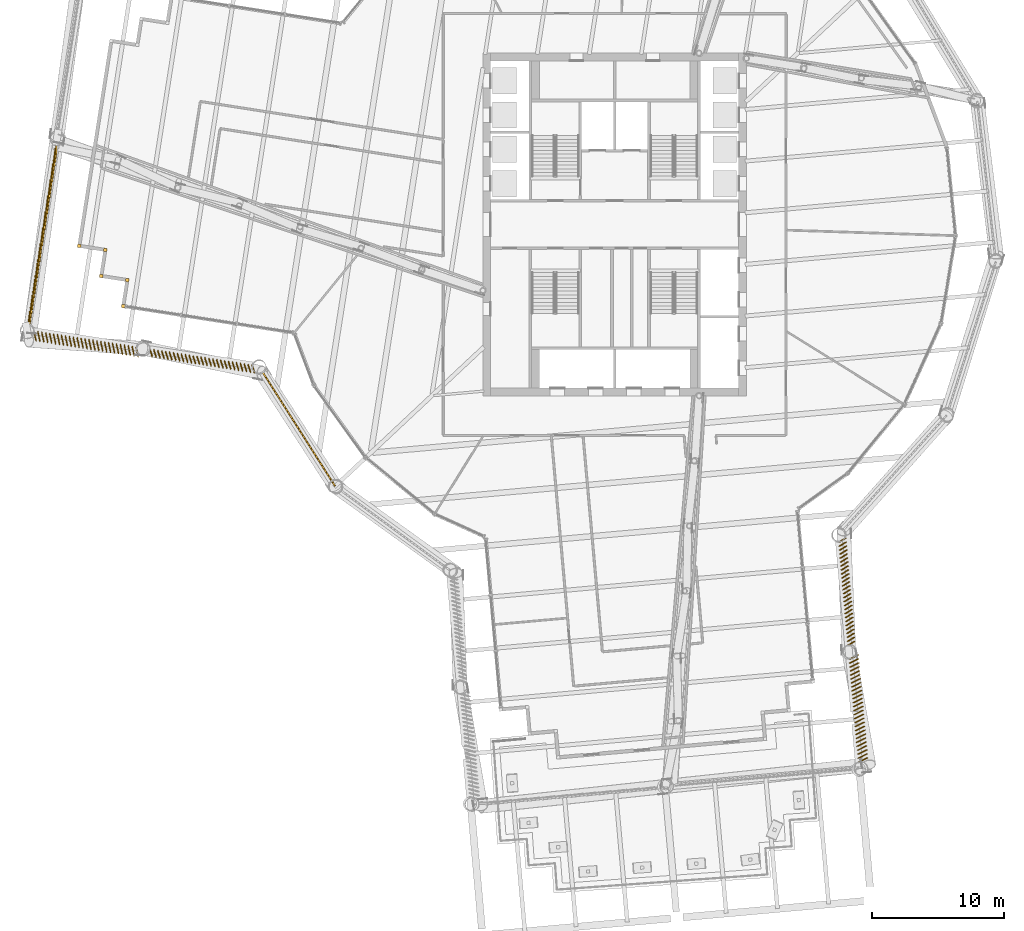
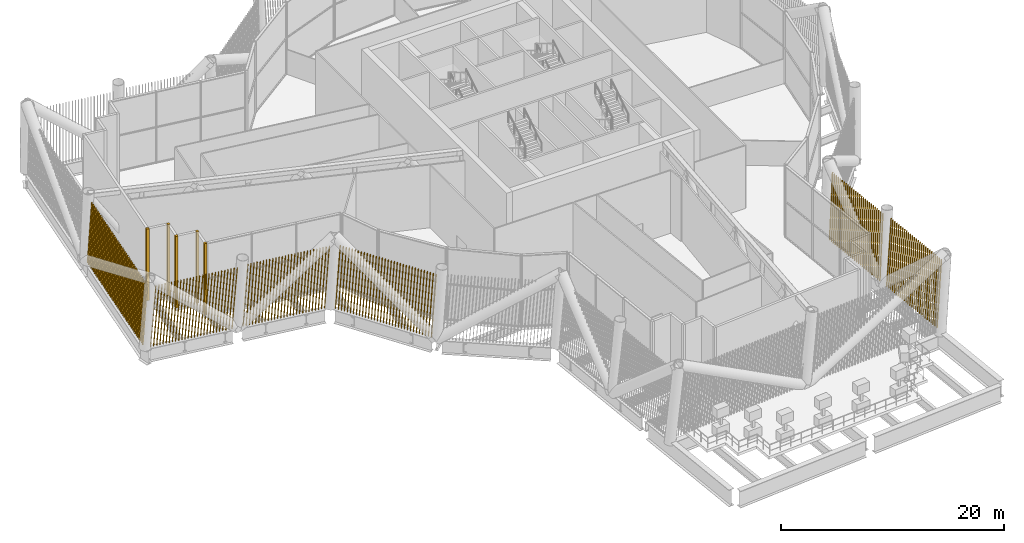
# One storey, part 49 of 55: 11 shading devices.
"""IFC4 building model written with IfcOpenShell, lengths in metres."""

import ifcopenshell
import ifcopenshell.guid

model = None  # the IFC model being written
_history = None  # IfcOwnerHistory: only IFC2X3 demands one
_inside = {}  # id of a spatial element -> (the spatial element, [elements in it])
_under = {}  # id of a project, library or spatial element -> (it, [spatial elements below it])
_declared = {}  # id of a project -> (the project, [libraries it declares])
_typed = {}  # id of a type object -> (the type object, [elements of that type])
_made_of = {}  # id of a material, layer set ... -> (it, [elements and type objects made of it])


def new_model(schema):
    """Start an empty IFC model of exactly this schema.

    Asked for "IFC4X3", IfcOpenShell would pick the latest addendum, in which some entities
    have other attributes; the version numbers below select the first issue.
    IFC2X3 requires an IfcOwnerHistory on every rooted entity: one is made here for all.
    """
    global model, _history
    if schema == "IFC4X3":
        model = ifcopenshell.file(schema_version=(4, 3, 0, 0))
    else:
        model = ifcopenshell.file(schema=schema)
    _inside.clear()
    _under.clear()
    _declared.clear()
    _typed.clear()
    _made_of.clear()
    _history = None
    if model.schema == "IFC2X3":
        org = make("IfcOrganization", Name="unknown")
        user = make(
            "IfcPersonAndOrganization",
            ThePerson=make("IfcPerson", FamilyName="unknown"),
            TheOrganization=org,
        )
        app = make(
            "IfcApplication",
            ApplicationDeveloper=org,
            Version="unknown",
            ApplicationFullName="unknown",
            ApplicationIdentifier="unknown",
        )
        _history = make(
            "IfcOwnerHistory",
            OwningUser=user,
            OwningApplication=app,
            ChangeAction="ADDED",
            CreationDate=0,
        )
    return model


def make(cls, **values):
    """One entity of the class cls with the attributes given. An attribute that is None is left unset."""
    return model.create_entity(
        cls, **{name: value for name, value in values.items() if value is not None}
    )


def rooted(cls, **values):
    """An entity with a GlobalId (a new one), such as an element, a storey or a relation."""
    return make(cls, GlobalId=ifcopenshell.guid.new(), OwnerHistory=_history, **values)


def si_unit(unit_type, name, prefix=None):
    """IfcSIUnit, for example si_unit("LENGTHUNIT", "METRE", prefix="MILLI")."""
    return make("IfcSIUnit", UnitType=unit_type, Prefix=prefix, Name=name)


def assignment(units):
    """IfcUnitAssignment: the units of a project."""
    return None if units is None else make("IfcUnitAssignment", Units=units)


def point(xyz):
    """IfcCartesianPoint."""
    return None if xyz is None else make("IfcCartesianPoint", Coordinates=xyz)


def direction(xyz):
    """IfcDirection."""
    return None if xyz is None else make("IfcDirection", DirectionRatios=xyz)


def frame(location, z_axis=None, x_axis=None):
    """IfcAxis2Placement3D, a coordinate frame: its origin and axes. An axis left out is left unset."""
    return make(
        "IfcAxis2Placement3D",
        Location=point(location),
        Axis=direction(z_axis),
        RefDirection=direction(x_axis),
    )


def frame_2d(location, x_axis=None):
    """IfcAxis2Placement2D, a coordinate frame in the plane: its origin and x axis."""
    return make(
        "IfcAxis2Placement2D", Location=point(location), RefDirection=direction(x_axis)
    )


def origin():
    """The frame at (0, 0, 0) with its axes left unset."""
    return frame((0.0, 0.0, 0.0))


def origin_2d():
    """The frame at (0, 0) in the plane with its x axis left unset."""
    return frame_2d((0.0, 0.0))


def place(relative_to, where):
    """IfcLocalPlacement: puts the frame where relative to a parent placement (None: the world)."""
    return make(
        "IfcLocalPlacement", PlacementRelTo=relative_to, RelativePlacement=where
    )


def context(
    kind, dimensions, precision=None, world=None, true_north=None, identifier=None
):
    """IfcGeometricRepresentationContext, for example the 3D "Model" context."""
    return make(
        "IfcGeometricRepresentationContext",
        ContextIdentifier=identifier,
        ContextType=kind,
        CoordinateSpaceDimension=dimensions,
        Precision=precision,
        WorldCoordinateSystem=world,
        TrueNorth=true_north,
    )


def subcontext(parent, identifier, kind, view, scale=None):
    """IfcGeometricRepresentationSubContext, for example "Body" below "Model"."""
    return make(
        "IfcGeometricRepresentationSubContext",
        ContextIdentifier=identifier,
        ContextType=kind,
        ParentContext=parent,
        TargetScale=scale,
        TargetView=view,
    )


def project(units=None, contexts=None):
    """IfcProject with its units and contexts."""
    return rooted(
        "IfcProject",
        Name="project",
        RepresentationContexts=contexts,
        UnitsInContext=assignment(units),
    )


def spatial(cls, under=None, at=None, **own):
    """A site, building, storey or space (cls), placed at a placement, below another one or the project."""
    s = rooted(cls, ObjectPlacement=at, **own)
    if under is not None:
        _under.setdefault(under.id(), (under, []))[1].append(s)
    return s


def profile(cls, at=None, kind="AREA", **sizes):
    """A parametric profile (cls). Its sizes go by their IFC names, for example OverallWidth=200.0."""
    return make(cls, ProfileType=kind, Position=at, **sizes)


def rectangle(**sizes):
    """IfcRectangleProfileDef."""
    return profile("IfcRectangleProfileDef", **sizes)


def composite_profile(profiles, kind="AREA"):
    """IfcCompositeProfileDef: several profiles as one."""
    return make("IfcCompositeProfileDef", ProfileType=kind, Profiles=profiles)


def extrude(swept, where, along, depth):
    """IfcExtrudedAreaSolid: the profile swept, set in the frame where, extruded along a direction by depth."""
    return make(
        "IfcExtrudedAreaSolid",
        SweptArea=swept,
        Position=where,
        ExtrudedDirection=direction(along),
        Depth=depth,
    )


def shape(context_of_items, identifier, shape_type, items):
    """IfcShapeRepresentation: the items that make up one representation, for example the "Body"."""
    return make(
        "IfcShapeRepresentation",
        ContextOfItems=context_of_items,
        RepresentationIdentifier=identifier,
        RepresentationType=shape_type,
        Items=items,
    )


def material(Name=None, Category=None):
    """IfcMaterial."""
    return make("IfcMaterial", Name=Name, Category=Category)


def made_of(thing, what):
    """Note that an element or type object is made of a material, layer set ...; save() writes the relation."""
    if what is not None:
        _made_of.setdefault(what.id(), (what, []))[1].append(thing)
    return thing


def type_object(cls, material=None, **own):
    """A type object (cls), such as IfcWallType, which elements share."""
    return made_of(rooted(cls, **own), material)


def element(
    cls,
    number,
    at=None,
    inside=None,
    cuts=None,
    type_object=None,
    material=None,
    context=None,
    identifier="Body",
    shape_type=None,
    held_by="IfcProductDefinitionShape",
    body=None,
    shapes=None,
    **own,
):
    """One element of the class cls, such as IfcWall. Its Tag is "e" and its number.

    at: its placement. inside: the storey or other place that contains it. cuts: it is an
    opening in that element (IfcRelVoidsElement). A single representation is given by context,
    identifier, shape_type and body (its items); several are given by shapes. held_by: the class
    of the entity that holds the representations. save() writes the other relations.
    """
    e = rooted(cls, Tag="e%d" % number, ObjectPlacement=at, **own)
    if body is not None:
        shapes = [shape(context, identifier, shape_type, body)]
    if shapes is not None:
        e.Representation = make(held_by, Representations=shapes)
    if inside is not None:
        _inside.setdefault(inside.id(), (inside, []))[1].append(e)
    if cuts is not None:
        rooted(
            "IfcRelVoidsElement", RelatingBuildingElement=cuts, RelatedOpeningElement=e
        )
    if type_object is not None:
        _typed.setdefault(type_object.id(), (type_object, []))[1].append(e)
    return made_of(e, material)


def aggregate(whole, parts):
    """IfcRelAggregates: a whole, such as a stair, and the parts it consists of."""
    return rooted("IfcRelAggregates", RelatingObject=whole, RelatedObjects=parts)


def save(model, path):
    """Write the relations noted so far, then the file.

    IfcRelAggregates (storeys below a building ...), IfcRelContainedInSpatialStructure (elements
    in a storey), IfcRelDefinesByType, IfcRelAssociatesMaterial and IfcRelDeclares: one each for
    every whole, place, type object, material and project.
    """
    for whole, parts in _under.values():
        aggregate(whole, parts)
    for where, things in _inside.values():
        rooted(
            "IfcRelContainedInSpatialStructure",
            RelatedElements=things,
            RelatingStructure=where,
        )
    for kind, things in _typed.values():
        rooted("IfcRelDefinesByType", RelatedObjects=things, RelatingType=kind)
    for what, things in _made_of.values():
        rooted("IfcRelAssociatesMaterial", RelatedObjects=things, RelatingMaterial=what)
    for by, libraries in _declared.values():
        rooted("IfcRelDeclares", RelatingContext=by, RelatedDefinitions=libraries)
    model.write(path)


model = new_model("IFC4")

# Units and contexts
model_context = context("Model", 3, precision=1e-05, world=origin(), true_north=direction((0.0, 1.0)))
body_context = subcontext(model_context, "Body", "Model", "MODEL_VIEW")
ifc_project = project(units=[si_unit("LENGTHUNIT", "METRE"), si_unit("AREAUNIT", "SQUARE_METRE"), si_unit("VOLUMEUNIT", "CUBIC_METRE"), si_unit("PLANEANGLEUNIT", "RADIAN"), si_unit("MASSUNIT", "GRAM", prefix="KILO")], contexts=[model_context])

# Site, building, storey
site_placement = place(None, origin())
site = spatial("IfcSite", under=ifc_project, at=site_placement, CompositionType="ELEMENT")
building_placement = place(site_placement, origin())
building = spatial("IfcBuilding", under=site, at=building_placement, Name="Tarsis Ring Headquarters", CompositionType="ELEMENT")
storey_placement = place(building_placement, frame((0.0, 0.0, 247.199951171875)))
storey = spatial("IfcBuildingStorey", under=building, at=storey_placement, Name="L58", CompositionType="ELEMENT", Elevation=247.199951171875)

# Shading devices
ifc_material = material(Name="Terracotta baguette", Category="masonry")
shading_device_type_1 = type_object("IfcShadingDeviceType", Name="Terracotta baguette screen", PredefinedType="USERDEFINED", material=ifc_material)
shading_device_1_placement = place(storey_placement, frame((18.515869140625, -40.810546875, 0.0), z_axis=(0.0, 0.0, 1.0), x_axis=(-0.089223924864, 0.996014582304, 0.0)))
element("IfcShadingDevice", 1, at=shading_device_1_placement, inside=storey, type_object=shading_device_type_1, Name="Baguette screen L58-05", ObjectType="Terracotta baguette screen", PredefinedType="USERDEFINED", context=body_context, shape_type="SweptSolid", body=[
    extrude(composite_profile([rectangle(XDim=0.06005859375, YDim=0.1201171875, at=frame_2d((0.030029296875, 0.0))), rectangle(XDim=0.06005859375, YDim=0.1201171875, at=frame_2d((0.33154296875, 0.0))), rectangle(XDim=0.06005859375, YDim=0.1201171875, at=frame_2d((0.63330078125, 0.0))), rectangle(XDim=0.06005859375, YDim=0.1201171875, at=frame_2d((0.934814453125, 0.0))), rectangle(XDim=0.06005859375, YDim=0.1201171875, at=frame_2d((1.236572265625, 0.0))), rectangle(XDim=0.06005859375, YDim=0.1201171875, at=frame_2d((1.5380859375, 0.0))), rectangle(XDim=0.06005859375, YDim=0.1201171875, at=frame_2d((1.83984375, 0.0))), rectangle(XDim=0.06005859375, YDim=0.1201171875, at=frame_2d((2.141357421875, 0.0))), rectangle(XDim=0.06005859375, YDim=0.1201171875, at=frame_2d((2.443115234375, 0.0))), rectangle(XDim=0.06005859375, YDim=0.1201171875, at=frame_2d((2.74462890625, 0.0))), rectangle(XDim=0.06005859375, YDim=0.1201171875, at=frame_2d((3.04638671875, 0.0))), rectangle(XDim=0.06005859375, YDim=0.1201171875, at=frame_2d((3.347900390625, 0.0))), rectangle(XDim=0.06005859375, YDim=0.1201171875, at=frame_2d((3.649658203125, 0.0))), rectangle(XDim=0.06005859375, YDim=0.1201171875, at=frame_2d((3.951171875, 0.0))), rectangle(XDim=0.06005859375, YDim=0.1201171875, at=frame_2d((4.252685546875, 0.0))), rectangle(XDim=0.06005859375, YDim=0.1201171875, at=frame_2d((4.554443359375, 0.0))), rectangle(XDim=0.06005859375, YDim=0.1201171875, at=frame_2d((4.85595703125, 0.0))), rectangle(XDim=0.06005859375, YDim=0.1201171875, at=frame_2d((5.15771484375, 0.0))), rectangle(XDim=0.06005859375, YDim=0.1201171875, at=frame_2d((5.459228515625, 0.0))), rectangle(XDim=0.06005859375, YDim=0.1201171875, at=frame_2d((5.760986328125, 0.0))), rectangle(XDim=0.06005859375, YDim=0.1201171875, at=frame_2d((6.0625, 0.0))), rectangle(XDim=0.06005859375, YDim=0.1201171875, at=frame_2d((6.3642578125, 0.0))), rectangle(XDim=0.06005859375, YDim=0.1201171875, at=frame_2d((6.665771484375, 0.0))), rectangle(XDim=0.06005859375, YDim=0.1201171875, at=frame_2d((6.967529296875, 0.0))), rectangle(XDim=0.06005859375, YDim=0.1201171875, at=frame_2d((7.26904296875, 0.0))), rectangle(XDim=0.06005859375, YDim=0.1201171875, at=frame_2d((7.57080078125, 0.0))), rectangle(XDim=0.06005859375, YDim=0.1201171875, at=frame_2d((7.872314453125, 0.0)))]), origin(), (0.037182177025, -0.093891595717, 0.994887859995), 7.104248046875),
])
shading_device_2_placement = place(storey_placement, frame((17.721435546875, -31.943603515625, 0.0), z_axis=(0.0, 0.0, 1.0), x_axis=(-0.089257577162, 0.996014459171, 0.0)))
element("IfcShadingDevice", 2, at=shading_device_2_placement, inside=storey, type_object=shading_device_type_1, Name="Baguette screen L58-06", ObjectType="Terracotta baguette screen", PredefinedType="USERDEFINED", context=body_context, shape_type="SweptSolid", body=[
    extrude(composite_profile([rectangle(XDim=0.06005859375, YDim=0.1201171875, at=frame_2d((0.030029296875, 0.0))), rectangle(XDim=0.06005859375, YDim=0.1201171875, at=frame_2d((0.33154296875, 0.0))), rectangle(XDim=0.06005859375, YDim=0.1201171875, at=frame_2d((0.63330078125, 0.0))), rectangle(XDim=0.06005859375, YDim=0.1201171875, at=frame_2d((0.934814453125, 0.0))), rectangle(XDim=0.06005859375, YDim=0.1201171875, at=frame_2d((1.236572265625, 0.0))), rectangle(XDim=0.06005859375, YDim=0.1201171875, at=frame_2d((1.5380859375, 0.0))), rectangle(XDim=0.06005859375, YDim=0.1201171875, at=frame_2d((1.83984375, 0.0))), rectangle(XDim=0.06005859375, YDim=0.1201171875, at=frame_2d((2.141357421875, 0.0))), rectangle(XDim=0.06005859375, YDim=0.1201171875, at=frame_2d((2.443115234375, 0.0))), rectangle(XDim=0.06005859375, YDim=0.1201171875, at=frame_2d((2.74462890625, 0.0))), rectangle(XDim=0.06005859375, YDim=0.1201171875, at=frame_2d((3.04638671875, 0.0))), rectangle(XDim=0.06005859375, YDim=0.1201171875, at=frame_2d((3.347900390625, 0.0))), rectangle(XDim=0.06005859375, YDim=0.1201171875, at=frame_2d((3.649658203125, 0.0))), rectangle(XDim=0.06005859375, YDim=0.1201171875, at=frame_2d((3.951171875, 0.0))), rectangle(XDim=0.06005859375, YDim=0.1201171875, at=frame_2d((4.252685546875, 0.0))), rectangle(XDim=0.06005859375, YDim=0.1201171875, at=frame_2d((4.554443359375, 0.0))), rectangle(XDim=0.06005859375, YDim=0.1201171875, at=frame_2d((4.85595703125, 0.0))), rectangle(XDim=0.06005859375, YDim=0.1201171875, at=frame_2d((5.15771484375, 0.0))), rectangle(XDim=0.06005859375, YDim=0.1201171875, at=frame_2d((5.459228515625, 0.0))), rectangle(XDim=0.06005859375, YDim=0.1201171875, at=frame_2d((5.760986328125, 0.0))), rectangle(XDim=0.06005859375, YDim=0.1201171875, at=frame_2d((6.0625, 0.0))), rectangle(XDim=0.06005859375, YDim=0.1201171875, at=frame_2d((6.3642578125, 0.0))), rectangle(XDim=0.06005859375, YDim=0.1201171875, at=frame_2d((6.665771484375, 0.0))), rectangle(XDim=0.06005859375, YDim=0.1201171875, at=frame_2d((6.967529296875, 0.0))), rectangle(XDim=0.06005859375, YDim=0.1201171875, at=frame_2d((7.26904296875, 0.0))), rectangle(XDim=0.06005859375, YDim=0.1201171875, at=frame_2d((7.57080078125, 0.0))), rectangle(XDim=0.06005859375, YDim=0.1201171875, at=frame_2d((7.872314453125, 0.0)))]), origin(), (0.037056097324, -0.072155032413, 0.996704819367), 7.09130859375),
])
shading_device_3_placement = place(storey_placement, frame((-42.3642578125, 6.11279296875, 0.0), z_axis=(0.0, 0.0, 1.0), x_axis=(-0.154359210247, -0.988022786781, 0.0)))
element("IfcShadingDevice", 3, at=shading_device_3_placement, inside=storey, type_object=shading_device_type_1, Name="Baguette screen L58-18", ObjectType="Terracotta baguette screen", PredefinedType="USERDEFINED", context=body_context, shape_type="SweptSolid", body=[
    extrude(composite_profile([rectangle(XDim=0.06005859375, YDim=0.1201171875, at=frame_2d((0.030029296875, 0.0))), rectangle(XDim=0.06005859375, YDim=0.1201171875, at=frame_2d((0.33544921875, 0.0))), rectangle(XDim=0.06005859375, YDim=0.1201171875, at=frame_2d((0.640625, 0.0))), rectangle(XDim=0.06005859375, YDim=0.1201171875, at=frame_2d((0.946044921875, 0.0))), rectangle(XDim=0.06005859375, YDim=0.1201171875, at=frame_2d((1.25146484375, 0.0))), rectangle(XDim=0.06005859375, YDim=0.1201171875, at=frame_2d((1.556640625, 0.0))), rectangle(XDim=0.06005859375, YDim=0.1201171875, at=frame_2d((1.862060546875, 0.0))), rectangle(XDim=0.06005859375, YDim=0.1201171875, at=frame_2d((2.16748046875, 0.0))), rectangle(XDim=0.06005859375, YDim=0.1201171875, at=frame_2d((2.47265625, 0.0))), rectangle(XDim=0.06005859375, YDim=0.1201171875, at=frame_2d((2.778076171875, 0.0))), rectangle(XDim=0.06005859375, YDim=0.1201171875, at=frame_2d((3.08349609375, 0.0))), rectangle(XDim=0.06005859375, YDim=0.1201171875, at=frame_2d((3.388671875, 0.0))), rectangle(XDim=0.06005859375, YDim=0.1201171875, at=frame_2d((3.694091796875, 0.0))), rectangle(XDim=0.06005859375, YDim=0.1201171875, at=frame_2d((3.99951171875, 0.0))), rectangle(XDim=0.06005859375, YDim=0.1201171875, at=frame_2d((4.3046875, 0.0))), rectangle(XDim=0.06005859375, YDim=0.1201171875, at=frame_2d((4.610107421875, 0.0))), rectangle(XDim=0.06005859375, YDim=0.1201171875, at=frame_2d((4.91552734375, 0.0))), rectangle(XDim=0.06005859375, YDim=0.1201171875, at=frame_2d((5.220703125, 0.0))), rectangle(XDim=0.06005859375, YDim=0.1201171875, at=frame_2d((5.526123046875, 0.0))), rectangle(XDim=0.06005859375, YDim=0.1201171875, at=frame_2d((5.83154296875, 0.0))), rectangle(XDim=0.06005859375, YDim=0.1201171875, at=frame_2d((6.13671875, 0.0))), rectangle(XDim=0.06005859375, YDim=0.1201171875, at=frame_2d((6.442138671875, 0.0))), rectangle(XDim=0.06005859375, YDim=0.1201171875, at=frame_2d((6.74755859375, 0.0))), rectangle(XDim=0.06005859375, YDim=0.1201171875, at=frame_2d((7.052734375, 0.0))), rectangle(XDim=0.06005859375, YDim=0.1201171875, at=frame_2d((7.358154296875, 0.0))), rectangle(XDim=0.06005859375, YDim=0.1201171875, at=frame_2d((7.66357421875, 0.0))), rectangle(XDim=0.06005859375, YDim=0.1201171875, at=frame_2d((7.96875, 0.0))), rectangle(XDim=0.06005859375, YDim=0.1201171875, at=frame_2d((8.274169921875, 0.0))), rectangle(XDim=0.06005859375, YDim=0.1201171875, at=frame_2d((8.57958984375, 0.0))), rectangle(XDim=0.06005859375, YDim=0.1201171875, at=frame_2d((8.884765625, 0.0))), rectangle(XDim=0.06005859375, YDim=0.1201171875, at=frame_2d((9.190185546875, 0.0))), rectangle(XDim=0.06005859375, YDim=0.1201171875, at=frame_2d((9.49560546875, 0.0))), rectangle(XDim=0.06005859375, YDim=0.1201171875, at=frame_2d((9.80078125, 0.0))), rectangle(XDim=0.06005859375, YDim=0.1201171875, at=frame_2d((10.106201171875, 0.0))), rectangle(XDim=0.06005859375, YDim=0.1201171875, at=frame_2d((10.41162109375, 0.0))), rectangle(XDim=0.06005859375, YDim=0.1201171875, at=frame_2d((10.716796875, 0.0))), rectangle(XDim=0.06005859375, YDim=0.1201171875, at=frame_2d((11.022216796875, 0.0))), rectangle(XDim=0.06005859375, YDim=0.1201171875, at=frame_2d((11.32763671875, 0.0))), rectangle(XDim=0.06005859375, YDim=0.1201171875, at=frame_2d((11.6328125, 0.0))), rectangle(XDim=0.06005859375, YDim=0.1201171875, at=frame_2d((11.938232421875, 0.0))), rectangle(XDim=0.06005859375, YDim=0.1201171875, at=frame_2d((12.24365234375, 0.0))), rectangle(XDim=0.06005859375, YDim=0.1201171875, at=frame_2d((12.548828125, 0.0))), rectangle(XDim=0.06005859375, YDim=0.1201171875, at=frame_2d((12.854248046875, 0.0))), rectangle(XDim=0.06005859375, YDim=0.1201171875, at=frame_2d((13.15966796875, 0.0))), rectangle(XDim=0.06005859375, YDim=0.1201171875, at=frame_2d((13.46484375, 0.0))), rectangle(XDim=0.06005859375, YDim=0.1201171875, at=frame_2d((13.770263671875, 0.0)))]), origin(), (0.104923953135, 0.019084690659, 0.994297107831), 7.1083984375),
])
shading_device_4_placement = place(storey_placement, frame((-44.07763671875, -8.093017578125, 0.0), z_axis=(0.0, 0.0, 1.0), x_axis=(0.9880128522, -0.154349975284, 0.0)))
element("IfcShadingDevice", 4, at=shading_device_4_placement, inside=storey, type_object=shading_device_type_1, Name="Baguette screen L58-19", ObjectType="Terracotta baguette screen", PredefinedType="USERDEFINED", context=body_context, shape_type="SweptSolid", body=[
    extrude(composite_profile([rectangle(XDim=0.06005859375, YDim=0.1201171875, at=frame_2d((0.030029296875, 0.0))), rectangle(XDim=0.06005859375, YDim=0.1201171875, at=frame_2d((0.33154296875, 0.0))), rectangle(XDim=0.06005859375, YDim=0.1201171875, at=frame_2d((0.63330078125, 0.0))), rectangle(XDim=0.06005859375, YDim=0.1201171875, at=frame_2d((0.934814453125, 0.0))), rectangle(XDim=0.06005859375, YDim=0.1201171875, at=frame_2d((1.236572265625, 0.0))), rectangle(XDim=0.06005859375, YDim=0.1201171875, at=frame_2d((1.5380859375, 0.0))), rectangle(XDim=0.06005859375, YDim=0.1201171875, at=frame_2d((1.83984375, 0.0))), rectangle(XDim=0.06005859375, YDim=0.1201171875, at=frame_2d((2.141357421875, 0.0))), rectangle(XDim=0.06005859375, YDim=0.1201171875, at=frame_2d((2.443115234375, 0.0))), rectangle(XDim=0.06005859375, YDim=0.1201171875, at=frame_2d((2.74462890625, 0.0))), rectangle(XDim=0.06005859375, YDim=0.1201171875, at=frame_2d((3.04638671875, 0.0))), rectangle(XDim=0.06005859375, YDim=0.1201171875, at=frame_2d((3.347900390625, 0.0))), rectangle(XDim=0.06005859375, YDim=0.1201171875, at=frame_2d((3.649658203125, 0.0))), rectangle(XDim=0.06005859375, YDim=0.1201171875, at=frame_2d((3.951171875, 0.0))), rectangle(XDim=0.06005859375, YDim=0.1201171875, at=frame_2d((4.252685546875, 0.0))), rectangle(XDim=0.06005859375, YDim=0.1201171875, at=frame_2d((4.554443359375, 0.0))), rectangle(XDim=0.06005859375, YDim=0.1201171875, at=frame_2d((4.85595703125, 0.0))), rectangle(XDim=0.06005859375, YDim=0.1201171875, at=frame_2d((5.15771484375, 0.0))), rectangle(XDim=0.06005859375, YDim=0.1201171875, at=frame_2d((5.459228515625, 0.0))), rectangle(XDim=0.06005859375, YDim=0.1201171875, at=frame_2d((5.760986328125, 0.0))), rectangle(XDim=0.06005859375, YDim=0.1201171875, at=frame_2d((6.0625, 0.0))), rectangle(XDim=0.06005859375, YDim=0.1201171875, at=frame_2d((6.3642578125, 0.0))), rectangle(XDim=0.06005859375, YDim=0.1201171875, at=frame_2d((6.665771484375, 0.0))), rectangle(XDim=0.06005859375, YDim=0.1201171875, at=frame_2d((6.967529296875, 0.0))), rectangle(XDim=0.06005859375, YDim=0.1201171875, at=frame_2d((7.26904296875, 0.0))), rectangle(XDim=0.06005859375, YDim=0.1201171875, at=frame_2d((7.57080078125, 0.0))), rectangle(XDim=0.06005859375, YDim=0.1201171875, at=frame_2d((7.872314453125, 0.0)))]), origin(), (0.037178892948, -0.09389225635, 0.994887920379), 7.104248046875),
])
shading_device_5_placement = place(storey_placement, frame((-35.281982421875, -9.467041015625, 0.0), z_axis=(0.0, 0.0, 1.0), x_axis=(0.988012481849, -0.154385639695, 0.0)))
element("IfcShadingDevice", 5, at=shading_device_5_placement, inside=storey, type_object=shading_device_type_1, Name="Baguette screen L58-20", ObjectType="Terracotta baguette screen", PredefinedType="USERDEFINED", context=body_context, shape_type="SweptSolid", body=[
    extrude(composite_profile([rectangle(XDim=0.06005859375, YDim=0.1201171875, at=frame_2d((0.030029296875, 0.0))), rectangle(XDim=0.06005859375, YDim=0.1201171875, at=frame_2d((0.33154296875, 0.0))), rectangle(XDim=0.06005859375, YDim=0.1201171875, at=frame_2d((0.63330078125, 0.0))), rectangle(XDim=0.06005859375, YDim=0.1201171875, at=frame_2d((0.934814453125, 0.0))), rectangle(XDim=0.06005859375, YDim=0.1201171875, at=frame_2d((1.236572265625, 0.0))), rectangle(XDim=0.06005859375, YDim=0.1201171875, at=frame_2d((1.5380859375, 0.0))), rectangle(XDim=0.06005859375, YDim=0.1201171875, at=frame_2d((1.83984375, 0.0))), rectangle(XDim=0.06005859375, YDim=0.1201171875, at=frame_2d((2.141357421875, 0.0))), rectangle(XDim=0.06005859375, YDim=0.1201171875, at=frame_2d((2.443115234375, 0.0))), rectangle(XDim=0.06005859375, YDim=0.1201171875, at=frame_2d((2.74462890625, 0.0))), rectangle(XDim=0.06005859375, YDim=0.1201171875, at=frame_2d((3.04638671875, 0.0))), rectangle(XDim=0.06005859375, YDim=0.1201171875, at=frame_2d((3.347900390625, 0.0))), rectangle(XDim=0.06005859375, YDim=0.1201171875, at=frame_2d((3.649658203125, 0.0))), rectangle(XDim=0.06005859375, YDim=0.1201171875, at=frame_2d((3.951171875, 0.0))), rectangle(XDim=0.06005859375, YDim=0.1201171875, at=frame_2d((4.252685546875, 0.0))), rectangle(XDim=0.06005859375, YDim=0.1201171875, at=frame_2d((4.554443359375, 0.0))), rectangle(XDim=0.06005859375, YDim=0.1201171875, at=frame_2d((4.85595703125, 0.0))), rectangle(XDim=0.06005859375, YDim=0.1201171875, at=frame_2d((5.15771484375, 0.0))), rectangle(XDim=0.06005859375, YDim=0.1201171875, at=frame_2d((5.459228515625, 0.0))), rectangle(XDim=0.06005859375, YDim=0.1201171875, at=frame_2d((5.760986328125, 0.0))), rectangle(XDim=0.06005859375, YDim=0.1201171875, at=frame_2d((6.0625, 0.0))), rectangle(XDim=0.06005859375, YDim=0.1201171875, at=frame_2d((6.3642578125, 0.0))), rectangle(XDim=0.06005859375, YDim=0.1201171875, at=frame_2d((6.665771484375, 0.0))), rectangle(XDim=0.06005859375, YDim=0.1201171875, at=frame_2d((6.967529296875, 0.0))), rectangle(XDim=0.06005859375, YDim=0.1201171875, at=frame_2d((7.26904296875, 0.0))), rectangle(XDim=0.06005859375, YDim=0.1201171875, at=frame_2d((7.57080078125, 0.0))), rectangle(XDim=0.06005859375, YDim=0.1201171875, at=frame_2d((7.872314453125, 0.0)))]), origin(), (0.037058585535, -0.072153306877, 0.996704851771), 7.09130859375),
])
shading_device_6_placement = place(storey_placement, frame((-26.71240234375, -11.186279296875, 0.0), z_axis=(0.0, 0.0, 1.0), x_axis=(0.536339787633, -0.843997501562, 0.0)))
element("IfcShadingDevice", 6, at=shading_device_6_placement, inside=storey, type_object=shading_device_type_1, Name="Baguette screen L58-21", ObjectType="Terracotta baguette screen", PredefinedType="USERDEFINED", context=body_context, shape_type="SweptSolid", body=[
    extrude(composite_profile([rectangle(XDim=0.06005859375, YDim=0.1201171875, at=frame_2d((0.030029296875, 0.0))), rectangle(XDim=0.06005859375, YDim=0.1201171875, at=frame_2d((0.33349609375, 0.0))), rectangle(XDim=0.06005859375, YDim=0.1201171875, at=frame_2d((0.636962890625, 0.0))), rectangle(XDim=0.06005859375, YDim=0.1201171875, at=frame_2d((0.9404296875, 0.0))), rectangle(XDim=0.06005859375, YDim=0.1201171875, at=frame_2d((1.243896484375, 0.0))), rectangle(XDim=0.06005859375, YDim=0.1201171875, at=frame_2d((1.54736328125, 0.0))), rectangle(XDim=0.06005859375, YDim=0.1201171875, at=frame_2d((1.85107421875, 0.0))), rectangle(XDim=0.06005859375, YDim=0.1201171875, at=frame_2d((2.154541015625, 0.0))), rectangle(XDim=0.06005859375, YDim=0.1201171875, at=frame_2d((2.4580078125, 0.0))), rectangle(XDim=0.06005859375, YDim=0.1201171875, at=frame_2d((2.761474609375, 0.0))), rectangle(XDim=0.06005859375, YDim=0.1201171875, at=frame_2d((3.06494140625, 0.0))), rectangle(XDim=0.06005859375, YDim=0.1201171875, at=frame_2d((3.368408203125, 0.0))), rectangle(XDim=0.06005859375, YDim=0.1201171875, at=frame_2d((3.671875, 0.0))), rectangle(XDim=0.06005859375, YDim=0.1201171875, at=frame_2d((3.975341796875, 0.0))), rectangle(XDim=0.06005859375, YDim=0.1201171875, at=frame_2d((4.27880859375, 0.0))), rectangle(XDim=0.06005859375, YDim=0.1201171875, at=frame_2d((4.582275390625, 0.0))), rectangle(XDim=0.06005859375, YDim=0.1201171875, at=frame_2d((4.8857421875, 0.0))), rectangle(XDim=0.06005859375, YDim=0.1201171875, at=frame_2d((5.189453125, 0.0))), rectangle(XDim=0.06005859375, YDim=0.1201171875, at=frame_2d((5.492919921875, 0.0))), rectangle(XDim=0.06005859375, YDim=0.1201171875, at=frame_2d((5.79638671875, 0.0))), rectangle(XDim=0.06005859375, YDim=0.1201171875, at=frame_2d((6.099853515625, 0.0))), rectangle(XDim=0.06005859375, YDim=0.1201171875, at=frame_2d((6.4033203125, 0.0))), rectangle(XDim=0.06005859375, YDim=0.1201171875, at=frame_2d((6.706787109375, 0.0))), rectangle(XDim=0.06005859375, YDim=0.1201171875, at=frame_2d((7.01025390625, 0.0))), rectangle(XDim=0.06005859375, YDim=0.1201171875, at=frame_2d((7.313720703125, 0.0))), rectangle(XDim=0.06005859375, YDim=0.1201171875, at=frame_2d((7.6171875, 0.0))), rectangle(XDim=0.06005859375, YDim=0.1201171875, at=frame_2d((7.920654296875, 0.0))), rectangle(XDim=0.06005859375, YDim=0.1201171875, at=frame_2d((8.224365234375, 0.0))), rectangle(XDim=0.06005859375, YDim=0.1201171875, at=frame_2d((8.52783203125, 0.0))), rectangle(XDim=0.06005859375, YDim=0.1201171875, at=frame_2d((8.831298828125, 0.0))), rectangle(XDim=0.06005859375, YDim=0.1201171875, at=frame_2d((9.134765625, 0.0))), rectangle(XDim=0.06005859375, YDim=0.1201171875, at=frame_2d((9.438232421875, 0.0))), rectangle(XDim=0.06005859375, YDim=0.1201171875, at=frame_2d((9.74169921875, 0.0)))]), origin(), (0.070310039312, 0.000613647115, 0.997524998087), 7.08544921875),
])
shading_device_type_2 = type_object("IfcShadingDeviceType", Name="Terracotta corner baguette 250x250", PredefinedType="USERDEFINED", material=ifc_material)
for number, where, z_axis, x_axis, name in (
    (7, (-37.278076171875, -6.19482421875, 0.0), (0.0, 0.0, 1.0), (-0.154365548318, -0.988013804303, 0.0), "Corner baguette L58-01"),
    (8, (-40.61279296875, -1.625244140625, 0.0), (0.0, 0.0, 1.0), (-0.154365496586, -0.988013812385, 0.0), "Corner baguette L58-37"),
    (9, (-38.63671875, -1.93408203125, 0.0), (0.0, 0.0, 1.0), (0.988013804303, -0.154365548318, 0.0), "Corner baguette L58-38"),
    (10, (-38.9453125, -3.91015625, 0.0), (0.0, 0.0, 1.0), (-0.154365479342, -0.988013815079, 0.0), "Corner baguette L58-39"),
    (11, (-36.96923828125, -4.21875, 0.0), (0.0, 0.0, 1.0), (0.988013815079, -0.154365479342, 0.0), "Corner baguette L58-40"),
):
    element("IfcShadingDevice", number, at=place(storey_placement, frame(where, z_axis=z_axis, x_axis=x_axis)), inside=storey, type_object=shading_device_type_2, Name=name, ObjectType="Terracotta corner baguette", PredefinedType="USERDEFINED", context=body_context, shape_type="SweptSolid", body=[
        extrude(rectangle(XDim=0.25, YDim=0.25, at=origin_2d()), origin(), (0.0, 0.0, 1.0), 7.840087890625),
    ])

save(model, "model.ifc")
